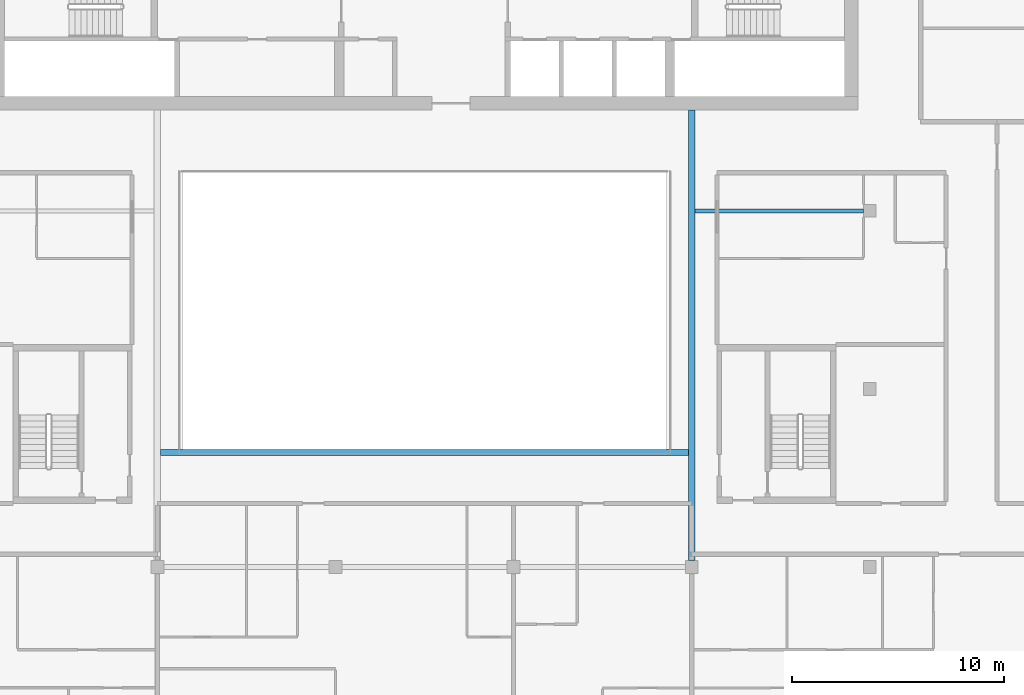
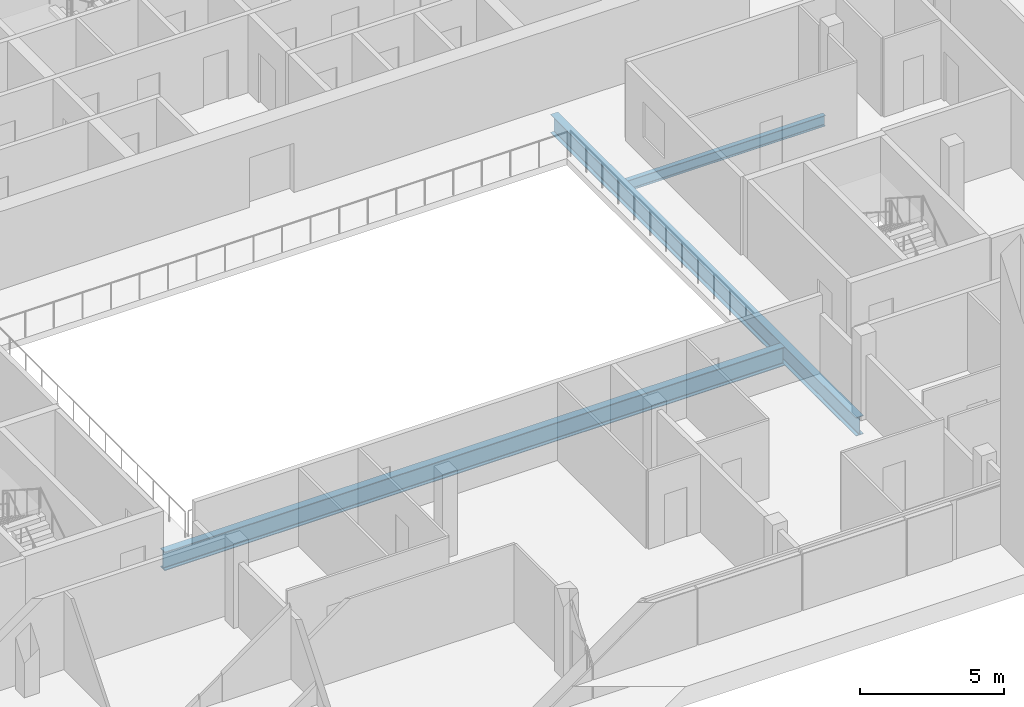
# One storey, part 10 of 31: 3 beams.
"""IFC4 building model written with IfcOpenShell, lengths in metres."""

from ifc_helpers import new_model, si_unit, direction, frame, origin, origin_2d, place, context, subcontext, project, spatial, i_section, extrude, material, material_profile, profile_set, type_object, element, save


model = new_model("IFC4")

# Units and contexts
model_context = context("Model", 3, precision=1e-05, world=origin(), true_north=direction((0.0, 1.0)))
body_context = subcontext(model_context, "Body", "Model", "MODEL_VIEW")
ifc_project = project(units=[si_unit("LENGTHUNIT", "METRE"), si_unit("AREAUNIT", "SQUARE_METRE"), si_unit("VOLUMEUNIT", "CUBIC_METRE"), si_unit("PLANEANGLEUNIT", "RADIAN"), si_unit("MASSUNIT", "GRAM", prefix="KILO")], contexts=[model_context])

# Site, building, storey
site_placement = place(None, origin())
site = spatial("IfcSite", under=ifc_project, at=site_placement, CompositionType="ELEMENT")
building_placement = place(site_placement, origin())
building = spatial("IfcBuilding", under=site, at=building_placement, Name="Saffron Gate Tower", CompositionType="ELEMENT")
storey_placement = place(building_placement, frame((0.0, 0.0, 205.5)))
storey = spatial("IfcBuildingStorey", under=building, at=storey_placement, Name="L49", CompositionType="ELEMENT", Elevation=205.5)

# Beams
ifc_material = material(Name="Structural steel S355", Category="steel")
ifc_material_profile_1 = material_profile(ifc_material, i_section(OverallWidth=0.300048828125, OverallDepth=0.7900390625, WebThickness=0.014892578125, FlangeThickness=0.028076171875, FilletRadius=0.030029296875, at=origin_2d()))
ifc_profile_set_1 = profile_set([ifc_material_profile_1], Name="Structural steel S355")
beam_type_1 = type_object("IfcBeamType", Name="B18 HEA 800", PredefinedType="BEAM", material=ifc_profile_set_1)
beam_1_placement = place(storey_placement, frame((100.199951171875, 40.5, -0.675048828125), z_axis=(0.0, 1.0, 0.0), x_axis=(-1.0, 0.0, 0.0)))
element("IfcBeam", 1, at=beam_1_placement, inside=storey, type_object=beam_type_1, Name="B18 ATRIUM GIRDER", PredefinedType="BEAM", context=body_context, shape_type="SweptSolid", body=[
    extrude(i_section(OverallWidth=0.300048828125, OverallDepth=0.7900390625, WebThickness=0.014892578125, FlangeThickness=0.028076171875, FilletRadius=0.030029296875, at=origin_2d()), origin(), (0.0, 0.0, 1.0), 21.25),
])
beam_2_placement = place(storey_placement, frame((75.14990234375, 45.60009765625, -0.675048828125), z_axis=(1.0, 0.0, 0.0), x_axis=(0.0, 1.0, 0.0)))
element("IfcBeam", 2, at=beam_2_placement, inside=storey, type_object=beam_type_1, Name="B18 ATRIUM GIRDER", PredefinedType="BEAM", context=body_context, shape_type="SweptSolid", body=[
    extrude(i_section(OverallWidth=0.300048828125, OverallDepth=0.7900390625, WebThickness=0.014892578125, FlangeThickness=0.028076171875, FilletRadius=0.030029296875, at=origin_2d()), origin(), (0.0, 0.0, 1.0), 24.900146484375),
])
ifc_material_profile_2 = material_profile(ifc_material, i_section(OverallWidth=0.18994140625, OverallDepth=0.449951171875, WebThickness=0.009521484375, FlangeThickness=0.0146484375, FilletRadius=0.02099609375, at=origin_2d()))
ifc_profile_set_2 = profile_set([ifc_material_profile_2], Name="Structural steel S355")
beam_type_2 = type_object("IfcBeamType", Name="B6 IPE 450", PredefinedType="BEAM", material=ifc_profile_set_2)
beam_3_placement = place(storey_placement, frame((108.300048828125, 57.0, -0.5048828125), z_axis=(-1.0, 0.0, 0.0), x_axis=(0.0, -1.0, 0.0)))
element("IfcBeam", 3, at=beam_3_placement, inside=storey, type_object=beam_type_2, Name="B6 CORE TIE BEAM", PredefinedType="BEAM", context=body_context, shape_type="SweptSolid", body=[
    extrude(i_section(OverallWidth=0.18994140625, OverallDepth=0.449951171875, WebThickness=0.009521484375, FlangeThickness=0.0146484375, FilletRadius=0.02099609375, at=origin_2d()), origin(), (0.0, 0.0, 1.0), 7.949951171875),
])

save(model, "model.ifc")
